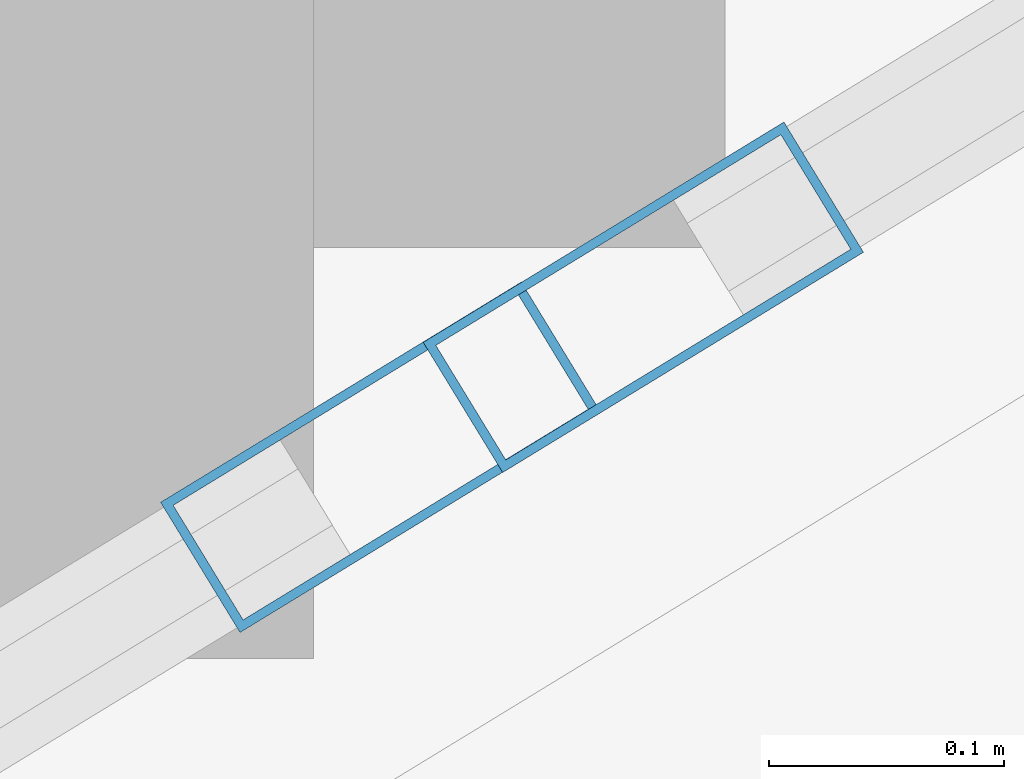
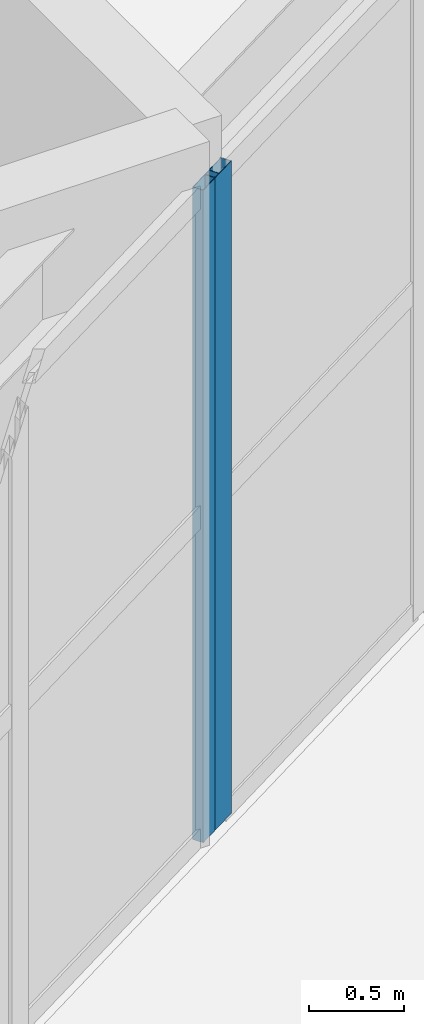
# One storey, part 48 of 126: 2 members, 2 elements without a shape of their own.
"""IFC4 building model written with IfcOpenShell, lengths in metres."""

from ifc_helpers import new_model, si_unit, direction, frame, origin, origin_2d, place, context, subcontext, project, spatial, hollow_rectangle, extrude, material, layer, layer_set, material_profile, profile_set, type_object, element, aggregate, save


model = new_model("IFC4")

# Units and contexts
model_context = context("Model", 3, precision=1e-05, world=origin(), true_north=direction((0.0, 1.0)))
body_context = subcontext(model_context, "Body", "Model", "MODEL_VIEW")
ifc_project = project(units=[si_unit("LENGTHUNIT", "METRE"), si_unit("AREAUNIT", "SQUARE_METRE"), si_unit("VOLUMEUNIT", "CUBIC_METRE"), si_unit("PLANEANGLEUNIT", "RADIAN"), si_unit("MASSUNIT", "GRAM", prefix="KILO")], contexts=[model_context])

# Site, building, storey
site_placement = place(None, origin())
site = spatial("IfcSite", under=ifc_project, at=site_placement, CompositionType="ELEMENT")
building_placement = place(site_placement, origin())
building = spatial("IfcBuilding", under=site, at=building_placement, Name="Kalgoora Escarpment Arena", CompositionType="ELEMENT")
storey_placement = place(building_placement, frame((0.0, 0.0, 18.89990234375)))
storey = spatial("IfcBuildingStorey", under=building, at=storey_placement, Name="L04", CompositionType="ELEMENT", Elevation=18.89990234375)

# Curtain wall, member
ifc_material_1 = material(Name=" Champagne anodised aluminium & double-glazed low-E", Category="aluminium")
ifc_layer_1 = layer(ifc_material_1, 0.166015625)
ifc_layer_set_1 = layer_set([ifc_layer_1], Name="CW-UNIT-04")
curtain_wall_type_1 = type_object("IfcCurtainWallType", Name="CW-UNIT-04", PredefinedType="NOTDEFINED", material=ifc_layer_set_1)
curtain_wall_1_placement = place(storey_placement, origin())
curtain_wall_1 = element("IfcCurtainWall", 1, at=curtain_wall_1_placement, inside=storey, type_object=curtain_wall_type_1, Name="L04 unitised facade curtain wall 103", PredefinedType="NOTDEFINED")
ifc_material_2 = material(Name="Anodised aluminium 6063-T6", Category="aluminium")
ifc_material_profile = material_profile(ifc_material_2, hollow_rectangle(XDim=0.06494140625, YDim=0.179931640625, WallThickness=0.00390625, at=origin_2d()))
ifc_profile_set = profile_set([ifc_material_profile], Name="Anodised aluminium 6063-T6")
member_type = type_object("IfcMemberType", Name="MEM-CW-MULL-180", PredefinedType="MULLION", material=ifc_profile_set)
member_1_placement = place(storey_placement, frame((135.96533203125, 18.753662109375, 0.02001953125), z_axis=(0.0, 0.0, 1.0), x_axis=(0.52106650732, -0.853516077733, 0.0)))
member_1 = element("IfcMember", 2, at=member_1_placement, type_object=member_type, Name="CW-04 mullion 3", PredefinedType="MULLION", context=body_context, shape_type="SweptSolid", body=[
    extrude(hollow_rectangle(XDim=0.06494140625, YDim=0.179931640625, WallThickness=0.00390625, at=origin_2d()), origin(), (0.0, 0.0, 1.0), 4.170166015625),
])
aggregate(curtain_wall_1, [member_1])

ifc_material_3 = material(Name=" Champagne anodised aluminium & double-glazed low-E", Category="aluminium")
ifc_layer_2 = layer(ifc_material_3, 0.14990234375)
ifc_layer_set_2 = layer_set([ifc_layer_2], Name="CW-UNIT-05")
curtain_wall_type_2 = type_object("IfcCurtainWallType", Name="CW-UNIT-05", PredefinedType="NOTDEFINED", material=ifc_layer_set_2)
curtain_wall_2_placement = place(storey_placement, origin())
curtain_wall_2 = element("IfcCurtainWall", 3, at=curtain_wall_2_placement, inside=storey, type_object=curtain_wall_type_2, Name="L04 unitised facade curtain wall 104", PredefinedType="NOTDEFINED")
member_2_placement = place(storey_placement, frame((135.853515625, 18.685546875, 0.02001953125), z_axis=(0.0, 0.0, 1.0), x_axis=(0.521048501858, -0.853527069701, 0.0)))
member_2 = element("IfcMember", 4, at=member_2_placement, type_object=member_type, Name="CW-05 mullion 1", PredefinedType="MULLION", context=body_context, shape_type="SweptSolid", body=[
    extrude(hollow_rectangle(XDim=0.06494140625, YDim=0.179931640625, WallThickness=0.00390625, at=origin_2d()), origin(), (0.0, 0.0, 1.0), 4.170166015625),
])
aggregate(curtain_wall_2, [member_2])

save(model, "model.ifc")
